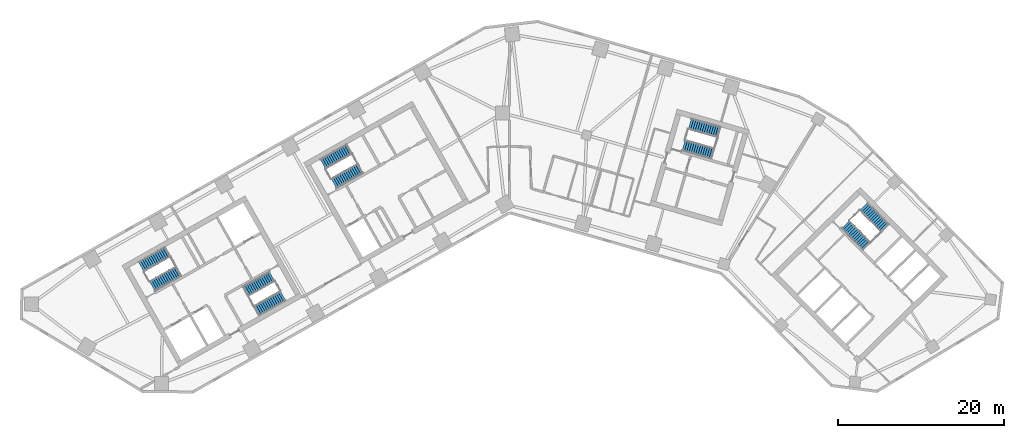
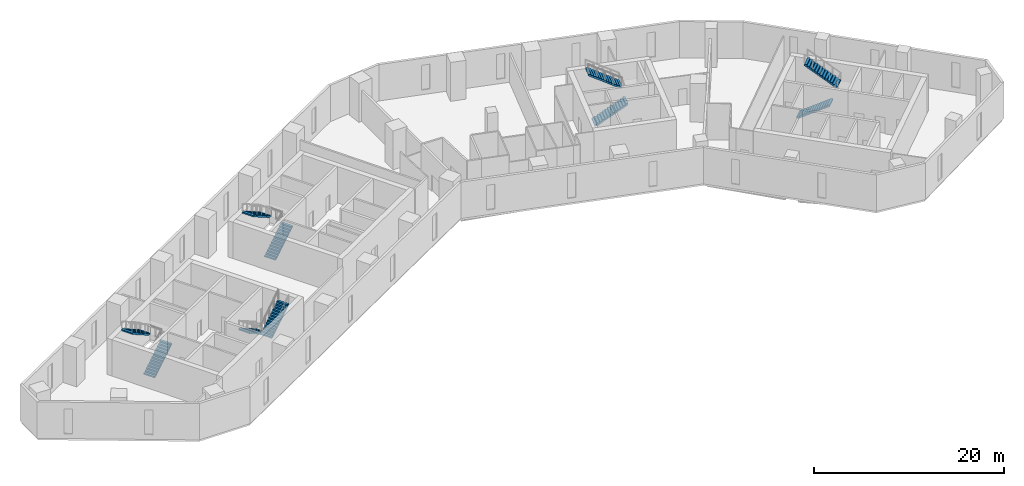
# One storey, part 8 of 10: 10 stair flights, 5 elements without a shape of their own.
"""IFC4 building model written with IfcOpenShell, lengths in metres."""

from ifc_helpers import new_model, si_unit, direction, frame, origin, place, context, subcontext, project, spatial, polyline, outline, extrude, material, type_object, element, aggregate, save


model = new_model("IFC4")

# Units and contexts
model_context = context("Model", 3, precision=1e-05, world=origin(), true_north=direction((0.0, 1.0)))
body_context = subcontext(model_context, "Body", "Model", "MODEL_VIEW")
ifc_project = project(units=[si_unit("LENGTHUNIT", "METRE"), si_unit("AREAUNIT", "SQUARE_METRE"), si_unit("VOLUMEUNIT", "CUBIC_METRE"), si_unit("PLANEANGLEUNIT", "RADIAN"), si_unit("MASSUNIT", "GRAM", prefix="KILO")], contexts=[model_context])

# Site, building, storey
site_placement = place(None, origin())
site = spatial("IfcSite", under=ifc_project, at=site_placement, CompositionType="ELEMENT")
building_placement = place(site_placement, origin())
building = spatial("IfcBuilding", under=site, at=building_placement, Name="Binnacle Exchange Tower", CompositionType="ELEMENT")
storey_placement = place(building_placement, frame((0.0, 0.0, 61.5)))
storey = spatial("IfcBuildingStorey", under=building, at=storey_placement, Name="L12", CompositionType="ELEMENT", Elevation=61.5)

# Stair, stair flights
ifc_material = material(Name="Concrete C35/45", Category="concrete")
stair_type = type_object("IfcStairType", Name="STAIR 28 RISERS 179", PredefinedType="HALF_TURN_STAIR", material=ifc_material)
stair_1_placement = place(storey_placement, origin())
stair_1 = element("IfcStair", 1, at=stair_1_placement, inside=storey, type_object=stair_type, Name="L12 Escape stair A1", PredefinedType="HALF_TURN_STAIR")
stair_flight_type = type_object("IfcStairFlightType", Name="STAIR FLIGHT 179X280", PredefinedType="STRAIGHT", material=ifc_material)
stair_flight_1_placement = place(storey_placement, frame((-42.9541015625, 39.17333984375, 0.0), z_axis=(0.0, 0.0, 1.0), x_axis=(0.870355584213, 0.492423757581, 0.0)))
stair_flight_1 = element("IfcStairFlight", 2, at=stair_flight_1_placement, type_object=stair_flight_type, Name="STA1 flight 1", NumberOfRisers=14, NumberOfTreads=13, PredefinedType="STRAIGHT", RiserHeight=0.178571429, TreadLength=0.28, context=body_context, shape_type="SweptSolid", body=[
    extrude(outline(polyline([(0.0, 0.0), (0.0, 0.178466796875), (0.280029296875, 0.178466796875), (0.280029296875, 0.357177734375), (0.56005859375, 0.357177734375), (0.56005859375, 0.53564453125), (0.840087890625, 0.53564453125), (0.840087890625, 0.71435546875), (1.1201171875, 0.71435546875), (1.1201171875, 0.892822265625), (1.39990234375, 0.892822265625), (1.39990234375, 1.071533203125), (1.679931640625, 1.071533203125), (1.679931640625, 1.25), (1.9599609375, 1.25), (1.9599609375, 1.428466796875), (2.239990234375, 1.428466796875), (2.239990234375, 1.607177734375), (2.52001953125, 1.607177734375), (2.52001953125, 1.78564453125), (2.800048828125, 1.78564453125), (2.800048828125, 1.96435546875), (3.080078125, 1.96435546875), (3.080078125, 2.142822265625), (3.360107421875, 2.142822265625), (3.360107421875, 2.321533203125), (3.639892578125, 2.321533203125), (3.639892578125, 2.5), (3.639892578125, 2.1435546875), (0.27880859375, 0.0), (0.0, 0.0)])), frame((0.0, 0.675048828125, 0.0), z_axis=(0.0, -1.0, 0.0), x_axis=(1.0, 0.0, 0.0)), (0.0, 0.0, 1.0), 1.35009765625),
])
stair_flight_2_placement = place(storey_placement, frame((-41.115478515625, 43.315673828125, 2.5), z_axis=(0.0, 0.0, 1.0), x_axis=(-0.870355584213, -0.492423757581, 0.0)))
stair_flight_2 = element("IfcStairFlight", 3, at=stair_flight_2_placement, type_object=stair_flight_type, Name="STA1 flight 2", NumberOfRisers=14, NumberOfTreads=13, PredefinedType="STRAIGHT", RiserHeight=0.178571429, TreadLength=0.28, context=body_context, shape_type="SweptSolid", body=[
    extrude(outline(polyline([(0.0, 0.0), (0.0, 0.178466796875), (0.280029296875, 0.178466796875), (0.280029296875, 0.357177734375), (0.56005859375, 0.357177734375), (0.56005859375, 0.53564453125), (0.840087890625, 0.53564453125), (0.840087890625, 0.71435546875), (1.1201171875, 0.71435546875), (1.1201171875, 0.892822265625), (1.39990234375, 0.892822265625), (1.39990234375, 1.071533203125), (1.679931640625, 1.071533203125), (1.679931640625, 1.25), (1.9599609375, 1.25), (1.9599609375, 1.428466796875), (2.239990234375, 1.428466796875), (2.239990234375, 1.607177734375), (2.52001953125, 1.607177734375), (2.52001953125, 1.78564453125), (2.800048828125, 1.78564453125), (2.800048828125, 1.96435546875), (3.080078125, 1.96435546875), (3.080078125, 2.142822265625), (3.360107421875, 2.142822265625), (3.360107421875, 2.321533203125), (3.639892578125, 2.321533203125), (3.639892578125, 2.5), (3.639892578125, 2.1435546875), (0.27880859375, 0.0), (0.0, 0.0)])), frame((0.0, 0.675048828125, 0.0), z_axis=(0.0, -1.0, 0.0), x_axis=(1.0, 0.0, 0.0)), (0.0, 0.0, 1.0), 1.35009765625),
])
aggregate(stair_1, [stair_flight_1, stair_flight_2])

stair_2_placement = place(storey_placement, origin())
stair_2 = element("IfcStair", 4, at=stair_2_placement, inside=storey, type_object=stair_type, Name="L12 Escape stair A2", PredefinedType="HALF_TURN_STAIR")
stair_flight_3_placement = place(storey_placement, frame((-28.5732421875, 40.3583984375, 0.0), z_axis=(0.0, 0.0, 1.0), x_axis=(-0.870355584213, -0.492423757581, 0.0)))
stair_flight_3 = element("IfcStairFlight", 5, at=stair_flight_3_placement, type_object=stair_flight_type, Name="STA2 flight 1", NumberOfRisers=14, NumberOfTreads=13, PredefinedType="STRAIGHT", RiserHeight=0.178571429, TreadLength=0.28, context=body_context, shape_type="SweptSolid", body=[
    extrude(outline(polyline([(0.0, 0.0), (0.0, 0.178466796875), (0.280029296875, 0.178466796875), (0.280029296875, 0.357177734375), (0.56005859375, 0.357177734375), (0.56005859375, 0.53564453125), (0.840087890625, 0.53564453125), (0.840087890625, 0.71435546875), (1.1201171875, 0.71435546875), (1.1201171875, 0.892822265625), (1.39990234375, 0.892822265625), (1.39990234375, 1.071533203125), (1.679931640625, 1.071533203125), (1.679931640625, 1.25), (1.9599609375, 1.25), (1.9599609375, 1.428466796875), (2.239990234375, 1.428466796875), (2.239990234375, 1.607177734375), (2.52001953125, 1.607177734375), (2.52001953125, 1.78564453125), (2.800048828125, 1.78564453125), (2.800048828125, 1.96435546875), (3.080078125, 1.96435546875), (3.080078125, 2.142822265625), (3.360107421875, 2.142822265625), (3.360107421875, 2.321533203125), (3.639892578125, 2.321533203125), (3.639892578125, 2.5), (3.639892578125, 2.1435546875), (0.27880859375, 0.0), (0.0, 0.0)])), frame((0.0, 0.675048828125, 0.0), z_axis=(0.0, -1.0, 0.0), x_axis=(1.0, 0.0, 0.0)), (0.0, 0.0, 1.0), 1.35009765625),
])
stair_flight_4_placement = place(storey_placement, frame((-30.411865234375, 36.216064453125, 2.5), z_axis=(0.0, 0.0, 1.0), x_axis=(0.870355584213, 0.492423757581, 0.0)))
stair_flight_4 = element("IfcStairFlight", 6, at=stair_flight_4_placement, type_object=stair_flight_type, Name="STA2 flight 2", NumberOfRisers=14, NumberOfTreads=13, PredefinedType="STRAIGHT", RiserHeight=0.178571429, TreadLength=0.28, context=body_context, shape_type="SweptSolid", body=[
    extrude(outline(polyline([(0.0, 0.0), (0.0, 0.178466796875), (0.280029296875, 0.178466796875), (0.280029296875, 0.357177734375), (0.56005859375, 0.357177734375), (0.56005859375, 0.53564453125), (0.840087890625, 0.53564453125), (0.840087890625, 0.71435546875), (1.1201171875, 0.71435546875), (1.1201171875, 0.892822265625), (1.39990234375, 0.892822265625), (1.39990234375, 1.071533203125), (1.679931640625, 1.071533203125), (1.679931640625, 1.25), (1.9599609375, 1.25), (1.9599609375, 1.428466796875), (2.239990234375, 1.428466796875), (2.239990234375, 1.607177734375), (2.52001953125, 1.607177734375), (2.52001953125, 1.78564453125), (2.800048828125, 1.78564453125), (2.800048828125, 1.96435546875), (3.080078125, 1.96435546875), (3.080078125, 2.142822265625), (3.360107421875, 2.142822265625), (3.360107421875, 2.321533203125), (3.639892578125, 2.321533203125), (3.639892578125, 2.5), (3.639892578125, 2.1435546875), (0.27880859375, 0.0), (0.0, 0.0)])), frame((0.0, 0.675048828125, 0.0), z_axis=(0.0, -1.0, 0.0), x_axis=(1.0, 0.0, 0.0)), (0.0, 0.0, 1.0), 1.35009765625),
])
aggregate(stair_2, [stair_flight_3, stair_flight_4])

stair_3_placement = place(storey_placement, origin())
stair_3 = element("IfcStair", 7, at=stair_3_placement, inside=storey, type_object=stair_type, Name="L12 Escape stair B1", PredefinedType="HALF_TURN_STAIR")
stair_flight_5_placement = place(storey_placement, frame((40.376708984375, 46.608642578125, 0.0), z_axis=(0.0, 0.0, 1.0), x_axis=(0.70090935144, -0.713250363522, 0.0)))
stair_flight_5 = element("IfcStairFlight", 8, at=stair_flight_5_placement, type_object=stair_flight_type, Name="STB1 flight 1", NumberOfRisers=14, NumberOfTreads=13, PredefinedType="STRAIGHT", RiserHeight=0.178571429, TreadLength=0.28, context=body_context, shape_type="SweptSolid", body=[
    extrude(outline(polyline([(0.0, 0.0), (0.0, 0.178466796875), (0.280029296875, 0.178466796875), (0.280029296875, 0.357177734375), (0.56005859375, 0.357177734375), (0.56005859375, 0.53564453125), (0.840087890625, 0.53564453125), (0.840087890625, 0.71435546875), (1.1201171875, 0.71435546875), (1.1201171875, 0.892822265625), (1.39990234375, 0.892822265625), (1.39990234375, 1.071533203125), (1.679931640625, 1.071533203125), (1.679931640625, 1.25), (1.9599609375, 1.25), (1.9599609375, 1.428466796875), (2.239990234375, 1.428466796875), (2.239990234375, 1.607177734375), (2.52001953125, 1.607177734375), (2.52001953125, 1.78564453125), (2.800048828125, 1.78564453125), (2.800048828125, 1.96435546875), (3.080078125, 1.96435546875), (3.080078125, 2.142822265625), (3.360107421875, 2.142822265625), (3.360107421875, 2.321533203125), (3.639892578125, 2.321533203125), (3.639892578125, 2.5), (3.639892578125, 2.1435546875), (0.27880859375, 0.0), (0.0, 0.0)])), frame((0.0, 0.675048828125, 0.0), z_axis=(0.0, -1.0, 0.0), x_axis=(1.0, 0.0, 0.0)), (0.0, 0.0, 1.0), 1.35009765625),
])
stair_flight_6_placement = place(storey_placement, frame((45.13916015625, 46.185302734375, 2.5), z_axis=(0.0, 0.0, 1.0), x_axis=(-0.70090935144, 0.713250363522, 0.0)))
stair_flight_6 = element("IfcStairFlight", 9, at=stair_flight_6_placement, type_object=stair_flight_type, Name="STB1 flight 2", NumberOfRisers=14, NumberOfTreads=13, PredefinedType="STRAIGHT", RiserHeight=0.178571429, TreadLength=0.28, context=body_context, shape_type="SweptSolid", body=[
    extrude(outline(polyline([(0.0, 0.0), (0.0, 0.178466796875), (0.280029296875, 0.178466796875), (0.280029296875, 0.357177734375), (0.56005859375, 0.357177734375), (0.56005859375, 0.53564453125), (0.840087890625, 0.53564453125), (0.840087890625, 0.71435546875), (1.1201171875, 0.71435546875), (1.1201171875, 0.892822265625), (1.39990234375, 0.892822265625), (1.39990234375, 1.071533203125), (1.679931640625, 1.071533203125), (1.679931640625, 1.25), (1.9599609375, 1.25), (1.9599609375, 1.428466796875), (2.239990234375, 1.428466796875), (2.239990234375, 1.607177734375), (2.52001953125, 1.607177734375), (2.52001953125, 1.78564453125), (2.800048828125, 1.78564453125), (2.800048828125, 1.96435546875), (3.080078125, 1.96435546875), (3.080078125, 2.142822265625), (3.360107421875, 2.142822265625), (3.360107421875, 2.321533203125), (3.639892578125, 2.321533203125), (3.639892578125, 2.5), (3.639892578125, 2.1435546875), (0.27880859375, 0.0), (0.0, 0.0)])), frame((0.0, 0.675048828125, 0.0), z_axis=(0.0, -1.0, 0.0), x_axis=(1.0, 0.0, 0.0)), (0.0, 0.0, 1.0), 1.35009765625),
])
aggregate(stair_3, [stair_flight_5, stair_flight_6])

stair_4_placement = place(storey_placement, origin())
stair_4 = element("IfcStair", 10, at=stair_4_placement, inside=storey, type_object=stair_type, Name="L12 Escape stair C1", PredefinedType="HALF_TURN_STAIR")
stair_flight_7_placement = place(storey_placement, frame((-21.115966796875, 51.528564453125, 0.0), z_axis=(0.0, 0.0, 1.0), x_axis=(0.870355584213, 0.492423757581, 0.0)))
stair_flight_7 = element("IfcStairFlight", 11, at=stair_flight_7_placement, type_object=stair_flight_type, Name="STC1 flight 1", NumberOfRisers=14, NumberOfTreads=13, PredefinedType="STRAIGHT", RiserHeight=0.178571429, TreadLength=0.28, context=body_context, shape_type="SweptSolid", body=[
    extrude(outline(polyline([(0.0, 0.0), (0.0, 0.178466796875), (0.280029296875, 0.178466796875), (0.280029296875, 0.357177734375), (0.56005859375, 0.357177734375), (0.56005859375, 0.53564453125), (0.840087890625, 0.53564453125), (0.840087890625, 0.71435546875), (1.1201171875, 0.71435546875), (1.1201171875, 0.892822265625), (1.39990234375, 0.892822265625), (1.39990234375, 1.071533203125), (1.679931640625, 1.071533203125), (1.679931640625, 1.25), (1.9599609375, 1.25), (1.9599609375, 1.428466796875), (2.239990234375, 1.428466796875), (2.239990234375, 1.607177734375), (2.52001953125, 1.607177734375), (2.52001953125, 1.78564453125), (2.800048828125, 1.78564453125), (2.800048828125, 1.96435546875), (3.080078125, 1.96435546875), (3.080078125, 2.142822265625), (3.360107421875, 2.142822265625), (3.360107421875, 2.321533203125), (3.639892578125, 2.321533203125), (3.639892578125, 2.5), (3.639892578125, 2.1435546875), (0.27880859375, 0.0), (0.0, 0.0)])), frame((0.0, 0.675048828125, 0.0), z_axis=(0.0, -1.0, 0.0), x_axis=(1.0, 0.0, 0.0)), (0.0, 0.0, 1.0), 1.35009765625),
])
stair_flight_8_placement = place(storey_placement, frame((-19.27734375, 55.671142578125, 2.5), z_axis=(0.0, 0.0, 1.0), x_axis=(-0.870355584213, -0.492423757581, 0.0)))
stair_flight_8 = element("IfcStairFlight", 12, at=stair_flight_8_placement, type_object=stair_flight_type, Name="STC1 flight 2", NumberOfRisers=14, NumberOfTreads=13, PredefinedType="STRAIGHT", RiserHeight=0.178571429, TreadLength=0.28, context=body_context, shape_type="SweptSolid", body=[
    extrude(outline(polyline([(0.0, 0.0), (0.0, 0.178466796875), (0.280029296875, 0.178466796875), (0.280029296875, 0.357177734375), (0.56005859375, 0.357177734375), (0.56005859375, 0.53564453125), (0.840087890625, 0.53564453125), (0.840087890625, 0.71435546875), (1.1201171875, 0.71435546875), (1.1201171875, 0.892822265625), (1.39990234375, 0.892822265625), (1.39990234375, 1.071533203125), (1.679931640625, 1.071533203125), (1.679931640625, 1.25), (1.9599609375, 1.25), (1.9599609375, 1.428466796875), (2.239990234375, 1.428466796875), (2.239990234375, 1.607177734375), (2.52001953125, 1.607177734375), (2.52001953125, 1.78564453125), (2.800048828125, 1.78564453125), (2.800048828125, 1.96435546875), (3.080078125, 1.96435546875), (3.080078125, 2.142822265625), (3.360107421875, 2.142822265625), (3.360107421875, 2.321533203125), (3.639892578125, 2.321533203125), (3.639892578125, 2.5), (3.639892578125, 2.1435546875), (0.27880859375, 0.0), (0.0, 0.0)])), frame((0.0, 0.675048828125, 0.0), z_axis=(0.0, -1.0, 0.0), x_axis=(1.0, 0.0, 0.0)), (0.0, 0.0, 1.0), 1.35009765625),
])
aggregate(stair_4, [stair_flight_7, stair_flight_8])

stair_5_placement = place(storey_placement, origin())
stair_5 = element("IfcStair", 13, at=stair_5_placement, inside=storey, type_object=stair_type, Name="L12 Escape stair D1", PredefinedType="HALF_TURN_STAIR")
stair_flight_9_placement = place(storey_placement, frame((20.914306640625, 56.109619140625, 0.0), z_axis=(0.0, 0.0, 1.0), x_axis=(0.961261811397, -0.275636953165, 0.0)))
stair_flight_9 = element("IfcStairFlight", 14, at=stair_flight_9_placement, type_object=stair_flight_type, Name="STD1 flight 1", NumberOfRisers=14, NumberOfTreads=13, PredefinedType="STRAIGHT", RiserHeight=0.178571429, TreadLength=0.28, context=body_context, shape_type="SweptSolid", body=[
    extrude(outline(polyline([(0.0, 0.0), (0.0, 0.178466796875), (0.280029296875, 0.178466796875), (0.280029296875, 0.357177734375), (0.56005859375, 0.357177734375), (0.56005859375, 0.53564453125), (0.840087890625, 0.53564453125), (0.840087890625, 0.71435546875), (1.1201171875, 0.71435546875), (1.1201171875, 0.892822265625), (1.39990234375, 0.892822265625), (1.39990234375, 1.071533203125), (1.679931640625, 1.071533203125), (1.679931640625, 1.25), (1.9599609375, 1.25), (1.9599609375, 1.428466796875), (2.239990234375, 1.428466796875), (2.239990234375, 1.607177734375), (2.52001953125, 1.607177734375), (2.52001953125, 1.78564453125), (2.800048828125, 1.78564453125), (2.800048828125, 1.96435546875), (3.080078125, 1.96435546875), (3.080078125, 2.142822265625), (3.360107421875, 2.142822265625), (3.360107421875, 2.321533203125), (3.639892578125, 2.321533203125), (3.639892578125, 2.5), (3.639892578125, 2.1435546875), (0.27880859375, 0.0), (0.0, 0.0)])), frame((0.0, 0.675048828125, 0.0), z_axis=(0.0, -1.0, 0.0), x_axis=(1.0, 0.0, 0.0)), (0.0, 0.0, 1.0), 1.35009765625),
])
stair_flight_10_placement = place(storey_placement, frame((25.157470703125, 57.70166015625, 2.5), z_axis=(0.0, 0.0, 1.0), x_axis=(-0.961261811397, 0.275636953165, 0.0)))
stair_flight_10 = element("IfcStairFlight", 15, at=stair_flight_10_placement, type_object=stair_flight_type, Name="STD1 flight 2", NumberOfRisers=14, NumberOfTreads=13, PredefinedType="STRAIGHT", RiserHeight=0.178571429, TreadLength=0.28, context=body_context, shape_type="SweptSolid", body=[
    extrude(outline(polyline([(0.0, 0.0), (0.0, 0.178466796875), (0.280029296875, 0.178466796875), (0.280029296875, 0.357177734375), (0.56005859375, 0.357177734375), (0.56005859375, 0.53564453125), (0.840087890625, 0.53564453125), (0.840087890625, 0.71435546875), (1.1201171875, 0.71435546875), (1.1201171875, 0.892822265625), (1.39990234375, 0.892822265625), (1.39990234375, 1.071533203125), (1.679931640625, 1.071533203125), (1.679931640625, 1.25), (1.9599609375, 1.25), (1.9599609375, 1.428466796875), (2.239990234375, 1.428466796875), (2.239990234375, 1.607177734375), (2.52001953125, 1.607177734375), (2.52001953125, 1.78564453125), (2.800048828125, 1.78564453125), (2.800048828125, 1.96435546875), (3.080078125, 1.96435546875), (3.080078125, 2.142822265625), (3.360107421875, 2.142822265625), (3.360107421875, 2.321533203125), (3.639892578125, 2.321533203125), (3.639892578125, 2.5), (3.639892578125, 2.1435546875), (0.27880859375, 0.0), (0.0, 0.0)])), frame((0.0, 0.675048828125, 0.0), z_axis=(0.0, -1.0, 0.0), x_axis=(1.0, 0.0, 0.0)), (0.0, 0.0, 1.0), 1.35009765625),
])
aggregate(stair_5, [stair_flight_9, stair_flight_10])

save(model, "model.ifc")
